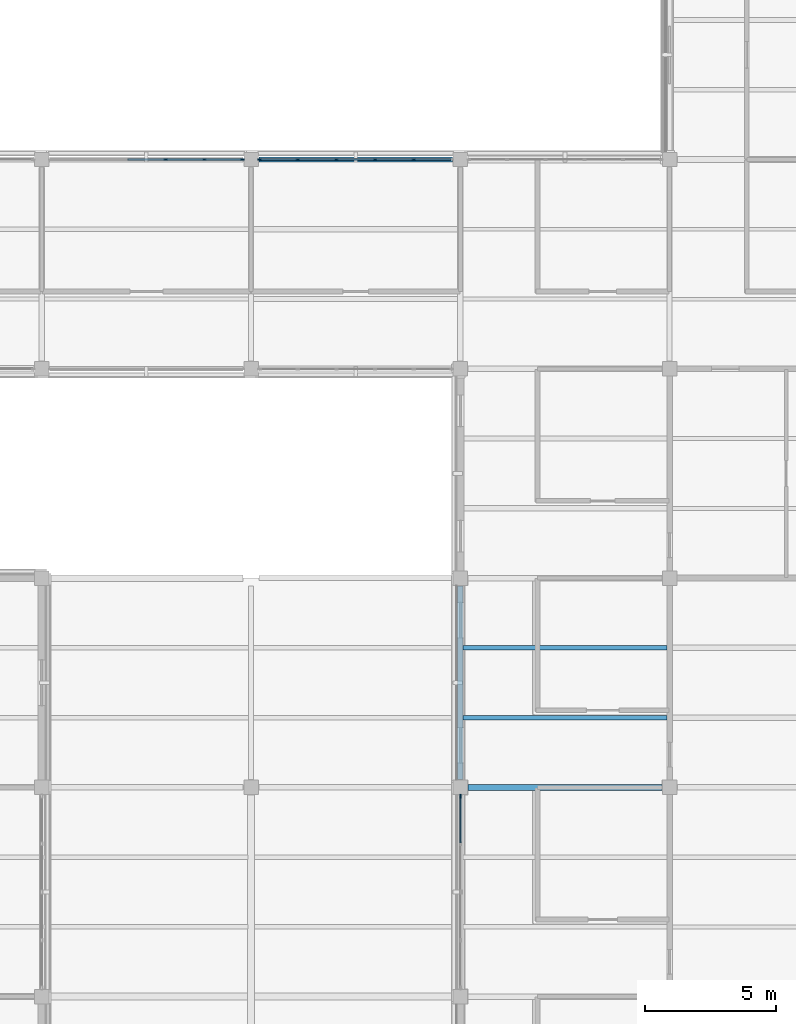
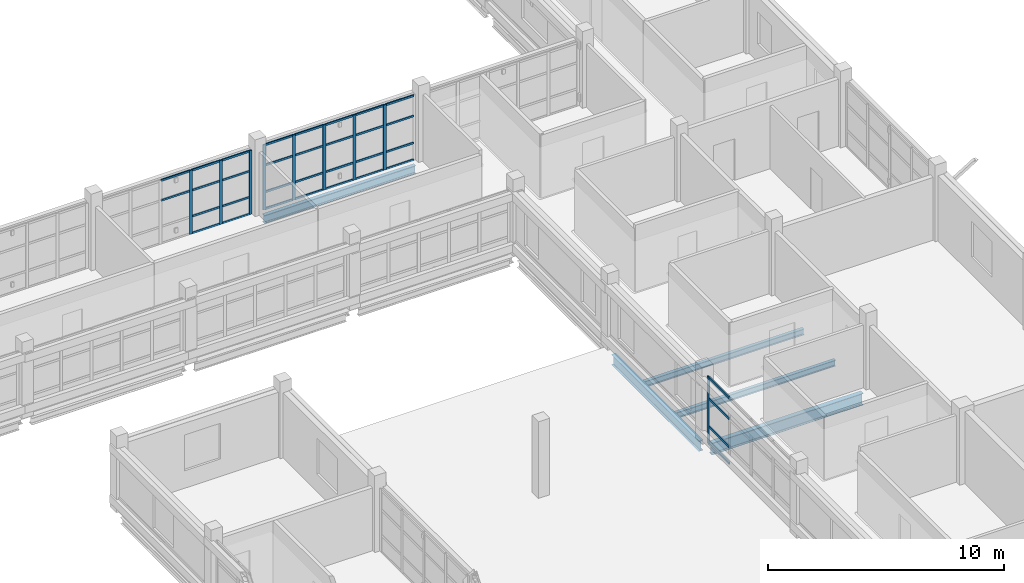
# One storey, part 46 of 107: 43 members, 5 beams, 3 elements without a shape of their own.
"""IFC4 building model written with IfcOpenShell, lengths in metres."""

from ifc_helpers import new_model, si_unit, derived_unit, direction, frame, origin, origin_2d, place, context, subcontext, project, spatial, rectangle, i_section, extrude, material, layer, layer_set, material_profile, profile_set, type_object, element, aggregate, save


model = new_model("IFC4")

# Units and contexts
model_context = context("Model", 3, precision=1e-05, world=origin(), true_north=direction((0.0, 1.0)))
body_context = subcontext(model_context, "Body", "Model", "MODEL_VIEW")
ifc_project = project(units=[si_unit("LENGTHUNIT", "METRE"), si_unit("AREAUNIT", "SQUARE_METRE"), si_unit("VOLUMEUNIT", "CUBIC_METRE"), si_unit("PLANEANGLEUNIT", "RADIAN"), si_unit("MASSUNIT", "GRAM", prefix="KILO"), derived_unit("THERMALTRANSMITTANCEUNIT", [(si_unit("MASSUNIT", "GRAM", prefix="KILO"), 1), (si_unit("TIMEUNIT", "SECOND"), -3), (si_unit("THERMODYNAMICTEMPERATUREUNIT", "KELVIN"), -1)])], contexts=[model_context])

# Site, building, storey
site_placement = place(None, origin())
site = spatial("IfcSite", under=ifc_project, at=site_placement, CompositionType="ELEMENT")
building_placement = place(site_placement, origin())
building = spatial("IfcBuilding", under=site, at=building_placement, Name="Veyamyaing Civic Hall", CompositionType="ELEMENT")
storey_placement = place(building_placement, frame((0.0, 0.0, 13.860107421875)))
storey = spatial("IfcBuildingStorey", under=building, at=storey_placement, Name="L03", CompositionType="ELEMENT", Elevation=13.860107421875)

# Beams
ifc_material_1 = material(Name="Steel ASTM A992", Category="steel")
ifc_material_profile_1 = material_profile(ifc_material_1, i_section(OverallWidth=0.22802734375, OverallDepth=0.60791015625, WebThickness=0.01123046875, FlangeThickness=0.017333984375, FilletRadius=0.012939453125, at=origin_2d()), Name="W610X113")
ifc_profile_set_1 = profile_set([ifc_material_profile_1], Name="Steel ASTM A992")
beam_type_1 = type_object("IfcBeamType", Name="B-06", PredefinedType="BEAM", material=ifc_profile_set_1)
beam_1_placement = place(storey_placement, frame((160.300048828125, 32.0, -0.55908203125), z_axis=(1.0, 0.0, 0.0), x_axis=(0.0, 1.0, 0.0)))
element("IfcBeam", 1, at=beam_1_placement, inside=storey, type_object=beam_type_1, Name="Girder B-06 L03 Grid E 21-22", PredefinedType="BEAM", context=body_context, shape_type="SweptSolid", body=[
    extrude(i_section(OverallWidth=0.22802734375, OverallDepth=0.60791015625, WebThickness=0.01123046875, FlangeThickness=0.017333984375, FilletRadius=0.012939453125, at=origin_2d()), origin(), (0.0, 0.0, 1.0), 7.39990234375),
])
ifc_material_profile_2 = material_profile(ifc_material_1, i_section(OverallWidth=0.208984375, OverallDepth=0.532958984375, WebThickness=0.01025390625, FlangeThickness=0.015625, FilletRadius=0.011962890625, at=origin_2d()), Name="W530X92")
ifc_profile_set_2 = profile_set([ifc_material_profile_2], Name="Steel ASTM A992")
beam_type_2 = type_object("IfcBeamType", Name="B-07", PredefinedType="BEAM", material=ifc_profile_set_2)
beam_2_placement = place(storey_placement, frame((160.0, 32.300048828125, -0.521728515625), z_axis=(0.0, 1.0, 0.0), x_axis=(-1.0, 0.0, 0.0)))
element("IfcBeam", 2, at=beam_2_placement, inside=storey, type_object=beam_type_2, Name="Girder B-07 L03 Grid 21 E-F", PredefinedType="BEAM", context=body_context, shape_type="SweptSolid", body=[
    extrude(i_section(OverallWidth=0.208984375, OverallDepth=0.532958984375, WebThickness=0.01025390625, FlangeThickness=0.015625, FilletRadius=0.011962890625, at=origin_2d()), origin(), (0.0, 0.0, 1.0), 7.39990234375),
])
ifc_material_profile_3 = material_profile(ifc_material_1, i_section(OverallWidth=0.180908203125, OverallDepth=0.4169921875, WebThickness=0.010986328125, FlangeThickness=0.018310546875, FilletRadius=0.010009765625, at=origin_2d()), Name="W410X85")
ifc_profile_set_3 = profile_set([ifc_material_profile_3], Name="Steel ASTM A992")
beam_type_3 = type_object("IfcBeamType", Name="B-19", PredefinedType="SPANDREL", material=ifc_profile_set_3)
beam_3_placement = place(storey_placement, frame((152.300048828125, 56.0, -0.463623046875), z_axis=(1.0, 0.0, 0.0), x_axis=(0.0, 1.0, 0.0)))
element("IfcBeam", 3, at=beam_3_placement, inside=storey, type_object=beam_type_3, Name="Girder B-19 L03 Grid H 20-21", PredefinedType="SPANDREL", context=body_context, shape_type="SweptSolid", body=[
    extrude(i_section(OverallWidth=0.180908203125, OverallDepth=0.4169921875, WebThickness=0.010986328125, FlangeThickness=0.018310546875, FilletRadius=0.010009765625, at=origin_2d()), origin(), (0.0, 0.0, 1.0), 7.39990234375),
])

# Curtain wall, member
ifc_material_2 = material(Name="Anodised aluminium 6063-T6", Category="aluminium")
ifc_layer_1 = layer(ifc_material_2, 0.159912109375, Name="Anodised aluminium 6063-T6")
ifc_layer_set_1 = layer_set([ifc_layer_1], Name="Anodised aluminium 6063-T6")
curtain_wall_type_1 = type_object("IfcCurtainWallType", Name="CW-07", PredefinedType="NOTDEFINED", material=ifc_layer_set_1)
curtain_wall_1_placement = place(storey_placement, origin())
curtain_wall_1 = element("IfcCurtainWall", 4, at=curtain_wall_1_placement, inside=storey, type_object=curtain_wall_type_1, Name="Unitized curtain wall CW-07 L03 W 21.4", PredefinedType="NOTDEFINED")
ifc_material_profile_4 = material_profile(ifc_material_2, rectangle(XDim=0.06494140625, YDim=0.159912109375, at=origin_2d()), Name="ALU-MUL-65X160")
ifc_profile_set_4 = profile_set([ifc_material_profile_4], Name="Anodised aluminium 6063-T6")
member_type_1 = type_object("IfcMemberType", Name="CWM-01", PredefinedType="MULLION", material=ifc_profile_set_4)
member_1_placement = place(storey_placement, frame((160.0, 31.66259765625, 0.0), z_axis=(0.0, 0.0, 1.0), x_axis=(-1.0, 0.0, 0.0)))
member_1 = element("IfcMember", 5, at=member_1_placement, type_object=member_type_1, Name="CW-07 mullion 5", PredefinedType="MULLION", context=body_context, shape_type="SweptSolid", body=[
    extrude(rectangle(XDim=0.06494140625, YDim=0.159912109375, at=origin_2d()), origin(), (0.0, 0.0, 1.0), 3.453857421875),
])

# Curtain wall, members
ifc_layer_2 = layer(ifc_material_2, 0.139892578125, Name="Anodised aluminium 6063-T6")
ifc_layer_set_2 = layer_set([ifc_layer_2], Name="Anodised aluminium 6063-T6")
curtain_wall_type_2 = type_object("IfcCurtainWallType", Name="CW-04", PredefinedType="NOTDEFINED", material=ifc_layer_set_2)
curtain_wall_2_placement = place(storey_placement, origin())
curtain_wall_2 = element("IfcCurtainWall", 6, at=curtain_wall_2_placement, inside=storey, type_object=curtain_wall_type_2, Name="Unitized curtain wall CW-04 L03 N 19.7", PredefinedType="NOTDEFINED")
ifc_material_profile_5 = material_profile(ifc_material_2, rectangle(XDim=0.06005859375, YDim=0.139892578125, at=origin_2d()), Name="ALU-MUL-60X140")
ifc_profile_set_5 = profile_set([ifc_material_profile_5], Name="Anodised aluminium 6063-T6")
member_type_2 = type_object("IfcMemberType", Name="CWM-03", PredefinedType="MULLION", material=ifc_profile_set_5)
member_2_placement = place(storey_placement, frame((148.739013671875, 56.0, 0.0), z_axis=(0.0, 0.0, 1.0), x_axis=(0.0, 1.0, 0.0)))
member_2 = element("IfcMember", 7, at=member_2_placement, type_object=member_type_2, Name="CW-04 mullion 4", PredefinedType="MULLION", context=body_context, shape_type="SweptSolid", body=[
    extrude(rectangle(XDim=0.06005859375, YDim=0.139892578125, at=origin_2d()), origin(), (0.0, 0.0, 1.0), 3.2998046875),
])
member_3_placement = place(storey_placement, frame((150.217041015625, 56.0, 0.0), z_axis=(0.0, 0.0, 1.0), x_axis=(0.0, 1.0, 0.0)))
member_3 = element("IfcMember", 8, at=member_3_placement, type_object=member_type_2, Name="CW-04 mullion 5", PredefinedType="MULLION", context=body_context, shape_type="SweptSolid", body=[
    extrude(rectangle(XDim=0.06005859375, YDim=0.139892578125, at=origin_2d()), origin(), (0.0, 0.0, 1.0), 3.2998046875),
])
member_4_placement = place(storey_placement, frame((151.6650390625, 56.0, 0.0), z_axis=(0.0, 0.0, 1.0), x_axis=(0.0, 1.0, 0.0)))
member_4 = element("IfcMember", 9, at=member_4_placement, type_object=member_type_2, Name="CW-04 mullion 6", PredefinedType="MULLION", context=body_context, shape_type="SweptSolid", body=[
    extrude(rectangle(XDim=0.06005859375, YDim=0.139892578125, at=origin_2d()), origin(), (0.0, 0.0, 1.0), 3.2998046875),
])

curtain_wall_3_placement = place(storey_placement, origin())
curtain_wall_3 = element("IfcCurtainWall", 10, at=curtain_wall_3_placement, inside=storey, type_object=curtain_wall_type_2, Name="Unitized curtain wall CW-04 L03 N 20.7", PredefinedType="NOTDEFINED")
member_5_placement = place(storey_placement, frame((152.3349609375, 56.0, 0.0), z_axis=(0.0, 0.0, 1.0), x_axis=(0.0, 1.0, 0.0)))
member_5 = element("IfcMember", 11, at=member_5_placement, type_object=member_type_2, Name="CW-04 mullion 1", PredefinedType="MULLION", context=body_context, shape_type="SweptSolid", body=[
    extrude(rectangle(XDim=0.06005859375, YDim=0.139892578125, at=origin_2d()), origin(), (0.0, 0.0, 1.0), 3.364013671875),
])
member_6_placement = place(storey_placement, frame((153.782958984375, 56.0, 0.0), z_axis=(0.0, 0.0, 1.0), x_axis=(0.0, 1.0, 0.0)))
member_6 = element("IfcMember", 12, at=member_6_placement, type_object=member_type_2, Name="CW-04 mullion 2", PredefinedType="MULLION", context=body_context, shape_type="SweptSolid", body=[
    extrude(rectangle(XDim=0.06005859375, YDim=0.139892578125, at=origin_2d()), origin(), (0.0, 0.0, 1.0), 3.364013671875),
])
member_7_placement = place(storey_placement, frame((155.260986328125, 56.0, 0.0), z_axis=(0.0, 0.0, 1.0), x_axis=(0.0, 1.0, 0.0)))
member_7 = element("IfcMember", 13, at=member_7_placement, type_object=member_type_2, Name="CW-04 mullion 3", PredefinedType="MULLION", context=body_context, shape_type="SweptSolid", body=[
    extrude(rectangle(XDim=0.06005859375, YDim=0.139892578125, at=origin_2d()), origin(), (0.0, 0.0, 1.0), 3.364013671875),
])
member_8_placement = place(storey_placement, frame((156.739013671875, 56.0, 0.0), z_axis=(0.0, 0.0, 1.0), x_axis=(0.0, 1.0, 0.0)))
member_8 = element("IfcMember", 14, at=member_8_placement, type_object=member_type_2, Name="CW-04 mullion 4", PredefinedType="MULLION", context=body_context, shape_type="SweptSolid", body=[
    extrude(rectangle(XDim=0.06005859375, YDim=0.139892578125, at=origin_2d()), origin(), (0.0, 0.0, 1.0), 3.364013671875),
])
member_9_placement = place(storey_placement, frame((158.217041015625, 56.0, 0.0), z_axis=(0.0, 0.0, 1.0), x_axis=(0.0, 1.0, 0.0)))
member_9 = element("IfcMember", 15, at=member_9_placement, type_object=member_type_2, Name="CW-04 mullion 5", PredefinedType="MULLION", context=body_context, shape_type="SweptSolid", body=[
    extrude(rectangle(XDim=0.06005859375, YDim=0.139892578125, at=origin_2d()), origin(), (0.0, 0.0, 1.0), 3.364013671875),
])

# Member
ifc_material_profile_6 = material_profile(ifc_material_2, rectangle(XDim=0.06494140625, YDim=0.1201171875, at=origin_2d()), Name="ALU-TRN-65X120")
ifc_profile_set_6 = profile_set([ifc_material_profile_6], Name="Anodised aluminium 6063-T6")
member_type_3 = type_object("IfcMemberType", Name="CWT-01", PredefinedType="USERDEFINED", material=ifc_profile_set_6)
member_10_placement = place(storey_placement, frame((160.0, 29.8798828125, 0.032470703125), z_axis=(0.0, 1.0, 0.0), x_axis=(-1.0, 0.0, 0.0)))
member_10 = element("IfcMember", 16, at=member_10_placement, type_object=member_type_3, Name="CW-07 transom 4.1", ObjectType="TRANSOM", PredefinedType="USERDEFINED", context=body_context, shape_type="SweptSolid", body=[
    extrude(rectangle(XDim=0.06494140625, YDim=0.1201171875, at=origin_2d()), origin(), (0.0, 0.0, 1.0), 1.75),
])

member_11_placement = place(storey_placement, frame((160.0, 29.8798828125, 0.89990234375), z_axis=(0.0, 1.0, 0.0), x_axis=(-1.0, 0.0, 0.0)))
member_11 = element("IfcMember", 17, at=member_11_placement, type_object=member_type_3, Name="CW-07 transom 4.2", ObjectType="TRANSOM", PredefinedType="USERDEFINED", context=body_context, shape_type="SweptSolid", body=[
    extrude(rectangle(XDim=0.06494140625, YDim=0.1201171875, at=origin_2d()), origin(), (0.0, 0.0, 1.0), 1.75),
])

member_12_placement = place(storey_placement, frame((160.0, 29.8798828125, 2.3486328125), z_axis=(0.0, 1.0, 0.0), x_axis=(-1.0, 0.0, 0.0)))
member_12 = element("IfcMember", 18, at=member_12_placement, type_object=member_type_3, Name="CW-07 transom 4.3", ObjectType="TRANSOM", PredefinedType="USERDEFINED", context=body_context, shape_type="SweptSolid", body=[
    extrude(rectangle(XDim=0.06494140625, YDim=0.1201171875, at=origin_2d()), origin(), (0.0, 0.0, 1.0), 1.75),
])

member_13_placement = place(storey_placement, frame((160.0, 29.8798828125, 3.42138671875), z_axis=(0.0, 1.0, 0.0), x_axis=(-1.0, 0.0, 0.0)))
member_13 = element("IfcMember", 19, at=member_13_placement, type_object=member_type_3, Name="CW-07 transom 4.4", ObjectType="TRANSOM", PredefinedType="USERDEFINED", context=body_context, shape_type="SweptSolid", body=[
    extrude(rectangle(XDim=0.06494140625, YDim=0.1201171875, at=origin_2d()), origin(), (0.0, 0.0, 1.0), 1.75),
])

aggregate(curtain_wall_1, [member_1, member_10, member_11, member_12, member_13])

ifc_material_profile_7 = material_profile(ifc_material_2, rectangle(XDim=0.06005859375, YDim=0.10009765625, at=origin_2d()), Name="ALU-TRN-60X100")
ifc_profile_set_7 = profile_set([ifc_material_profile_7], Name="Anodised aluminium 6063-T6")
member_type_4 = type_object("IfcMemberType", Name="CWT-03", PredefinedType="USERDEFINED", material=ifc_profile_set_7)
member_14_placement = place(storey_placement, frame((147.291015625, 56.0, 2.243896484375), z_axis=(1.0, 0.0, 0.0), x_axis=(0.0, 1.0, 0.0)))
member_14 = element("IfcMember", 20, at=member_14_placement, type_object=member_type_4, Name="CW-04 transom 3.3", ObjectType="TRANSOM", PredefinedType="USERDEFINED", context=body_context, shape_type="SweptSolid", body=[
    extrude(rectangle(XDim=0.06005859375, YDim=0.10009765625, at=origin_2d()), origin(), (0.0, 0.0, 1.0), 1.41796875),
])

member_15_placement = place(storey_placement, frame((147.291015625, 56.0, 3.269775390625), z_axis=(1.0, 0.0, 0.0), x_axis=(0.0, 1.0, 0.0)))
member_15 = element("IfcMember", 21, at=member_15_placement, type_object=member_type_4, Name="CW-04 transom 3.4", ObjectType="TRANSOM", PredefinedType="USERDEFINED", context=body_context, shape_type="SweptSolid", body=[
    extrude(rectangle(XDim=0.06005859375, YDim=0.10009765625, at=origin_2d()), origin(), (0.0, 0.0, 1.0), 1.41796875),
])

member_16_placement = place(storey_placement, frame((148.76904296875, 56.0, 0.02978515625), z_axis=(1.0, 0.0, 0.0), x_axis=(0.0, 1.0, 0.0)))
member_16 = element("IfcMember", 22, at=member_16_placement, type_object=member_type_4, Name="CW-04 transom 4.1", ObjectType="TRANSOM", PredefinedType="USERDEFINED", context=body_context, shape_type="SweptSolid", body=[
    extrude(rectangle(XDim=0.06005859375, YDim=0.10009765625, at=origin_2d()), origin(), (0.0, 0.0, 1.0), 1.41796875),
])

member_17_placement = place(storey_placement, frame((148.76904296875, 56.0, 0.89990234375), z_axis=(1.0, 0.0, 0.0), x_axis=(0.0, 1.0, 0.0)))
member_17 = element("IfcMember", 23, at=member_17_placement, type_object=member_type_4, Name="CW-04 transom 4.2", ObjectType="TRANSOM", PredefinedType="USERDEFINED", context=body_context, shape_type="SweptSolid", body=[
    extrude(rectangle(XDim=0.06005859375, YDim=0.10009765625, at=origin_2d()), origin(), (0.0, 0.0, 1.0), 1.41796875),
])

member_18_placement = place(storey_placement, frame((148.76904296875, 56.0, 2.243896484375), z_axis=(1.0, 0.0, 0.0), x_axis=(0.0, 1.0, 0.0)))
member_18 = element("IfcMember", 24, at=member_18_placement, type_object=member_type_4, Name="CW-04 transom 4.3", ObjectType="TRANSOM", PredefinedType="USERDEFINED", context=body_context, shape_type="SweptSolid", body=[
    extrude(rectangle(XDim=0.06005859375, YDim=0.10009765625, at=origin_2d()), origin(), (0.0, 0.0, 1.0), 1.41796875),
])

member_19_placement = place(storey_placement, frame((148.76904296875, 56.0, 3.269775390625), z_axis=(1.0, 0.0, 0.0), x_axis=(0.0, 1.0, 0.0)))
member_19 = element("IfcMember", 25, at=member_19_placement, type_object=member_type_4, Name="CW-04 transom 4.4", ObjectType="TRANSOM", PredefinedType="USERDEFINED", context=body_context, shape_type="SweptSolid", body=[
    extrude(rectangle(XDim=0.06005859375, YDim=0.10009765625, at=origin_2d()), origin(), (0.0, 0.0, 1.0), 1.41796875),
])

member_20_placement = place(storey_placement, frame((150.2470703125, 56.0, 0.02978515625), z_axis=(1.0, 0.0, 0.0), x_axis=(0.0, 1.0, 0.0)))
member_20 = element("IfcMember", 26, at=member_20_placement, type_object=member_type_4, Name="CW-04 transom 5.1", ObjectType="TRANSOM", PredefinedType="USERDEFINED", context=body_context, shape_type="SweptSolid", body=[
    extrude(rectangle(XDim=0.06005859375, YDim=0.10009765625, at=origin_2d()), origin(), (0.0, 0.0, 1.0), 1.387939453125),
])

member_21_placement = place(storey_placement, frame((150.2470703125, 56.0, 0.89990234375), z_axis=(1.0, 0.0, 0.0), x_axis=(0.0, 1.0, 0.0)))
member_21 = element("IfcMember", 27, at=member_21_placement, type_object=member_type_4, Name="CW-04 transom 5.2", ObjectType="TRANSOM", PredefinedType="USERDEFINED", context=body_context, shape_type="SweptSolid", body=[
    extrude(rectangle(XDim=0.06005859375, YDim=0.10009765625, at=origin_2d()), origin(), (0.0, 0.0, 1.0), 1.387939453125),
])

member_22_placement = place(storey_placement, frame((150.2470703125, 56.0, 2.243896484375), z_axis=(1.0, 0.0, 0.0), x_axis=(0.0, 1.0, 0.0)))
member_22 = element("IfcMember", 28, at=member_22_placement, type_object=member_type_4, Name="CW-04 transom 5.3", ObjectType="TRANSOM", PredefinedType="USERDEFINED", context=body_context, shape_type="SweptSolid", body=[
    extrude(rectangle(XDim=0.06005859375, YDim=0.10009765625, at=origin_2d()), origin(), (0.0, 0.0, 1.0), 1.387939453125),
])

member_23_placement = place(storey_placement, frame((150.2470703125, 56.0, 3.269775390625), z_axis=(1.0, 0.0, 0.0), x_axis=(0.0, 1.0, 0.0)))
member_23 = element("IfcMember", 29, at=member_23_placement, type_object=member_type_4, Name="CW-04 transom 5.4", ObjectType="TRANSOM", PredefinedType="USERDEFINED", context=body_context, shape_type="SweptSolid", body=[
    extrude(rectangle(XDim=0.06005859375, YDim=0.10009765625, at=origin_2d()), origin(), (0.0, 0.0, 1.0), 1.387939453125),
])

aggregate(curtain_wall_2, [member_2, member_3, member_4, member_14, member_15, member_16, member_17, member_18, member_19, member_20, member_21, member_22, member_23])

member_24_placement = place(storey_placement, frame((152.364990234375, 56.0, 0.02978515625), z_axis=(1.0, 0.0, 0.0), x_axis=(0.0, 1.0, 0.0)))
member_24 = element("IfcMember", 30, at=member_24_placement, type_object=member_type_4, Name="CW-04 transom 1.1", ObjectType="TRANSOM", PredefinedType="USERDEFINED", context=body_context, shape_type="SweptSolid", body=[
    extrude(rectangle(XDim=0.06005859375, YDim=0.10009765625, at=origin_2d()), origin(), (0.0, 0.0, 1.0), 1.387939453125),
])

member_25_placement = place(storey_placement, frame((152.364990234375, 56.0, 0.89990234375), z_axis=(1.0, 0.0, 0.0), x_axis=(0.0, 1.0, 0.0)))
member_25 = element("IfcMember", 31, at=member_25_placement, type_object=member_type_4, Name="CW-04 transom 1.2", ObjectType="TRANSOM", PredefinedType="USERDEFINED", context=body_context, shape_type="SweptSolid", body=[
    extrude(rectangle(XDim=0.06005859375, YDim=0.10009765625, at=origin_2d()), origin(), (0.0, 0.0, 1.0), 1.387939453125),
])

member_26_placement = place(storey_placement, frame((152.364990234375, 56.0, 2.287353515625), z_axis=(1.0, 0.0, 0.0), x_axis=(0.0, 1.0, 0.0)))
member_26 = element("IfcMember", 32, at=member_26_placement, type_object=member_type_4, Name="CW-04 transom 1.3", ObjectType="TRANSOM", PredefinedType="USERDEFINED", context=body_context, shape_type="SweptSolid", body=[
    extrude(rectangle(XDim=0.06005859375, YDim=0.10009765625, at=origin_2d()), origin(), (0.0, 0.0, 1.0), 1.387939453125),
])

member_27_placement = place(storey_placement, frame((152.364990234375, 56.0, 3.333984375), z_axis=(1.0, 0.0, 0.0), x_axis=(0.0, 1.0, 0.0)))
member_27 = element("IfcMember", 33, at=member_27_placement, type_object=member_type_4, Name="CW-04 transom 1.4", ObjectType="TRANSOM", PredefinedType="USERDEFINED", context=body_context, shape_type="SweptSolid", body=[
    extrude(rectangle(XDim=0.06005859375, YDim=0.10009765625, at=origin_2d()), origin(), (0.0, 0.0, 1.0), 1.387939453125),
])

member_28_placement = place(storey_placement, frame((153.81298828125, 56.0, 0.02978515625), z_axis=(1.0, 0.0, 0.0), x_axis=(0.0, 1.0, 0.0)))
member_28 = element("IfcMember", 34, at=member_28_placement, type_object=member_type_4, Name="CW-04 transom 2.1", ObjectType="TRANSOM", PredefinedType="USERDEFINED", context=body_context, shape_type="SweptSolid", body=[
    extrude(rectangle(XDim=0.06005859375, YDim=0.10009765625, at=origin_2d()), origin(), (0.0, 0.0, 1.0), 1.41796875),
])

member_29_placement = place(storey_placement, frame((153.81298828125, 56.0, 0.89990234375), z_axis=(1.0, 0.0, 0.0), x_axis=(0.0, 1.0, 0.0)))
member_29 = element("IfcMember", 35, at=member_29_placement, type_object=member_type_4, Name="CW-04 transom 2.2", ObjectType="TRANSOM", PredefinedType="USERDEFINED", context=body_context, shape_type="SweptSolid", body=[
    extrude(rectangle(XDim=0.06005859375, YDim=0.10009765625, at=origin_2d()), origin(), (0.0, 0.0, 1.0), 1.41796875),
])

member_30_placement = place(storey_placement, frame((153.81298828125, 56.0, 2.287353515625), z_axis=(1.0, 0.0, 0.0), x_axis=(0.0, 1.0, 0.0)))
member_30 = element("IfcMember", 36, at=member_30_placement, type_object=member_type_4, Name="CW-04 transom 2.3", ObjectType="TRANSOM", PredefinedType="USERDEFINED", context=body_context, shape_type="SweptSolid", body=[
    extrude(rectangle(XDim=0.06005859375, YDim=0.10009765625, at=origin_2d()), origin(), (0.0, 0.0, 1.0), 1.41796875),
])

member_31_placement = place(storey_placement, frame((153.81298828125, 56.0, 3.333984375), z_axis=(1.0, 0.0, 0.0), x_axis=(0.0, 1.0, 0.0)))
member_31 = element("IfcMember", 37, at=member_31_placement, type_object=member_type_4, Name="CW-04 transom 2.4", ObjectType="TRANSOM", PredefinedType="USERDEFINED", context=body_context, shape_type="SweptSolid", body=[
    extrude(rectangle(XDim=0.06005859375, YDim=0.10009765625, at=origin_2d()), origin(), (0.0, 0.0, 1.0), 1.41796875),
])

member_32_placement = place(storey_placement, frame((155.291015625, 56.0, 0.02978515625), z_axis=(1.0, 0.0, 0.0), x_axis=(0.0, 1.0, 0.0)))
member_32 = element("IfcMember", 38, at=member_32_placement, type_object=member_type_4, Name="CW-04 transom 3.1", ObjectType="TRANSOM", PredefinedType="USERDEFINED", context=body_context, shape_type="SweptSolid", body=[
    extrude(rectangle(XDim=0.06005859375, YDim=0.10009765625, at=origin_2d()), origin(), (0.0, 0.0, 1.0), 1.41796875),
])

member_33_placement = place(storey_placement, frame((155.291015625, 56.0, 0.89990234375), z_axis=(1.0, 0.0, 0.0), x_axis=(0.0, 1.0, 0.0)))
member_33 = element("IfcMember", 39, at=member_33_placement, type_object=member_type_4, Name="CW-04 transom 3.2", ObjectType="TRANSOM", PredefinedType="USERDEFINED", context=body_context, shape_type="SweptSolid", body=[
    extrude(rectangle(XDim=0.06005859375, YDim=0.10009765625, at=origin_2d()), origin(), (0.0, 0.0, 1.0), 1.41796875),
])

member_34_placement = place(storey_placement, frame((155.291015625, 56.0, 2.287353515625), z_axis=(1.0, 0.0, 0.0), x_axis=(0.0, 1.0, 0.0)))
member_34 = element("IfcMember", 40, at=member_34_placement, type_object=member_type_4, Name="CW-04 transom 3.3", ObjectType="TRANSOM", PredefinedType="USERDEFINED", context=body_context, shape_type="SweptSolid", body=[
    extrude(rectangle(XDim=0.06005859375, YDim=0.10009765625, at=origin_2d()), origin(), (0.0, 0.0, 1.0), 1.41796875),
])

member_35_placement = place(storey_placement, frame((155.291015625, 56.0, 3.333984375), z_axis=(1.0, 0.0, 0.0), x_axis=(0.0, 1.0, 0.0)))
member_35 = element("IfcMember", 41, at=member_35_placement, type_object=member_type_4, Name="CW-04 transom 3.4", ObjectType="TRANSOM", PredefinedType="USERDEFINED", context=body_context, shape_type="SweptSolid", body=[
    extrude(rectangle(XDim=0.06005859375, YDim=0.10009765625, at=origin_2d()), origin(), (0.0, 0.0, 1.0), 1.41796875),
])

member_36_placement = place(storey_placement, frame((156.76904296875, 56.0, 0.02978515625), z_axis=(1.0, 0.0, 0.0), x_axis=(0.0, 1.0, 0.0)))
member_36 = element("IfcMember", 42, at=member_36_placement, type_object=member_type_4, Name="CW-04 transom 4.1", ObjectType="TRANSOM", PredefinedType="USERDEFINED", context=body_context, shape_type="SweptSolid", body=[
    extrude(rectangle(XDim=0.06005859375, YDim=0.10009765625, at=origin_2d()), origin(), (0.0, 0.0, 1.0), 1.41796875),
])

member_37_placement = place(storey_placement, frame((156.76904296875, 56.0, 0.89990234375), z_axis=(1.0, 0.0, 0.0), x_axis=(0.0, 1.0, 0.0)))
member_37 = element("IfcMember", 43, at=member_37_placement, type_object=member_type_4, Name="CW-04 transom 4.2", ObjectType="TRANSOM", PredefinedType="USERDEFINED", context=body_context, shape_type="SweptSolid", body=[
    extrude(rectangle(XDim=0.06005859375, YDim=0.10009765625, at=origin_2d()), origin(), (0.0, 0.0, 1.0), 1.41796875),
])

member_38_placement = place(storey_placement, frame((156.76904296875, 56.0, 2.287353515625), z_axis=(1.0, 0.0, 0.0), x_axis=(0.0, 1.0, 0.0)))
member_38 = element("IfcMember", 44, at=member_38_placement, type_object=member_type_4, Name="CW-04 transom 4.3", ObjectType="TRANSOM", PredefinedType="USERDEFINED", context=body_context, shape_type="SweptSolid", body=[
    extrude(rectangle(XDim=0.06005859375, YDim=0.10009765625, at=origin_2d()), origin(), (0.0, 0.0, 1.0), 1.41796875),
])

member_39_placement = place(storey_placement, frame((156.76904296875, 56.0, 3.333984375), z_axis=(1.0, 0.0, 0.0), x_axis=(0.0, 1.0, 0.0)))
member_39 = element("IfcMember", 45, at=member_39_placement, type_object=member_type_4, Name="CW-04 transom 4.4", ObjectType="TRANSOM", PredefinedType="USERDEFINED", context=body_context, shape_type="SweptSolid", body=[
    extrude(rectangle(XDim=0.06005859375, YDim=0.10009765625, at=origin_2d()), origin(), (0.0, 0.0, 1.0), 1.41796875),
])

member_40_placement = place(storey_placement, frame((158.2470703125, 56.0, 0.02978515625), z_axis=(1.0, 0.0, 0.0), x_axis=(0.0, 1.0, 0.0)))
member_40 = element("IfcMember", 46, at=member_40_placement, type_object=member_type_4, Name="CW-04 transom 5.1", ObjectType="TRANSOM", PredefinedType="USERDEFINED", context=body_context, shape_type="SweptSolid", body=[
    extrude(rectangle(XDim=0.06005859375, YDim=0.10009765625, at=origin_2d()), origin(), (0.0, 0.0, 1.0), 1.387939453125),
])

member_41_placement = place(storey_placement, frame((158.2470703125, 56.0, 0.89990234375), z_axis=(1.0, 0.0, 0.0), x_axis=(0.0, 1.0, 0.0)))
member_41 = element("IfcMember", 47, at=member_41_placement, type_object=member_type_4, Name="CW-04 transom 5.2", ObjectType="TRANSOM", PredefinedType="USERDEFINED", context=body_context, shape_type="SweptSolid", body=[
    extrude(rectangle(XDim=0.06005859375, YDim=0.10009765625, at=origin_2d()), origin(), (0.0, 0.0, 1.0), 1.387939453125),
])

member_42_placement = place(storey_placement, frame((158.2470703125, 56.0, 2.287353515625), z_axis=(1.0, 0.0, 0.0), x_axis=(0.0, 1.0, 0.0)))
member_42 = element("IfcMember", 48, at=member_42_placement, type_object=member_type_4, Name="CW-04 transom 5.3", ObjectType="TRANSOM", PredefinedType="USERDEFINED", context=body_context, shape_type="SweptSolid", body=[
    extrude(rectangle(XDim=0.06005859375, YDim=0.10009765625, at=origin_2d()), origin(), (0.0, 0.0, 1.0), 1.387939453125),
])

member_43_placement = place(storey_placement, frame((158.2470703125, 56.0, 3.333984375), z_axis=(1.0, 0.0, 0.0), x_axis=(0.0, 1.0, 0.0)))
member_43 = element("IfcMember", 49, at=member_43_placement, type_object=member_type_4, Name="CW-04 transom 5.4", ObjectType="TRANSOM", PredefinedType="USERDEFINED", context=body_context, shape_type="SweptSolid", body=[
    extrude(rectangle(XDim=0.06005859375, YDim=0.10009765625, at=origin_2d()), origin(), (0.0, 0.0, 1.0), 1.387939453125),
])

aggregate(curtain_wall_3, [member_5, member_6, member_7, member_8, member_9, member_24, member_25, member_26, member_27, member_28, member_29, member_30, member_31, member_32, member_33, member_34, member_35, member_36, member_37, member_38, member_39, member_40, member_41, member_42, member_43])

# Beams
ifc_material_profile_8 = material_profile(ifc_material_1, i_section(OverallWidth=0.1650390625, OverallDepth=0.31005859375, WebThickness=0.005859375, FlangeThickness=0.009765625, FilletRadius=0.010009765625, at=origin_2d()), Name="W310X39")
ifc_profile_set_8 = profile_set([ifc_material_profile_8], Name="Steel ASTM A992")
beam_type_4 = type_object("IfcBeamType", Name="J-05", PredefinedType="JOIST", material=ifc_profile_set_8)
for number, where, z_axis, x_axis, name in (
    (50, (160.1025390625, 34.666748046875, -0.41015625), (1.0, 0.0, 0.0), (0.0, 1.0, 0.0), "Composite floor joist J-05 L03 21.5.1"),
    (51, (160.1025390625, 37.333251953125, -0.41015625), (1.0, 0.0, 0.0), (0.0, 1.0, 0.0), "Composite floor joist J-05 L03 21.5.2"),
):
    element("IfcBeam", number, at=place(storey_placement, frame(where, z_axis=z_axis, x_axis=x_axis)), inside=storey, type_object=beam_type_4, Name=name, PredefinedType="JOIST", context=body_context, shape_type="SweptSolid", body=[
        extrude(i_section(OverallWidth=0.1650390625, OverallDepth=0.31005859375, WebThickness=0.005859375, FlangeThickness=0.009765625, FilletRadius=0.010009765625, at=origin_2d()), origin(), (0.0, 0.0, 1.0), 7.803466796875),
    ])

save(model, "model.ifc")
